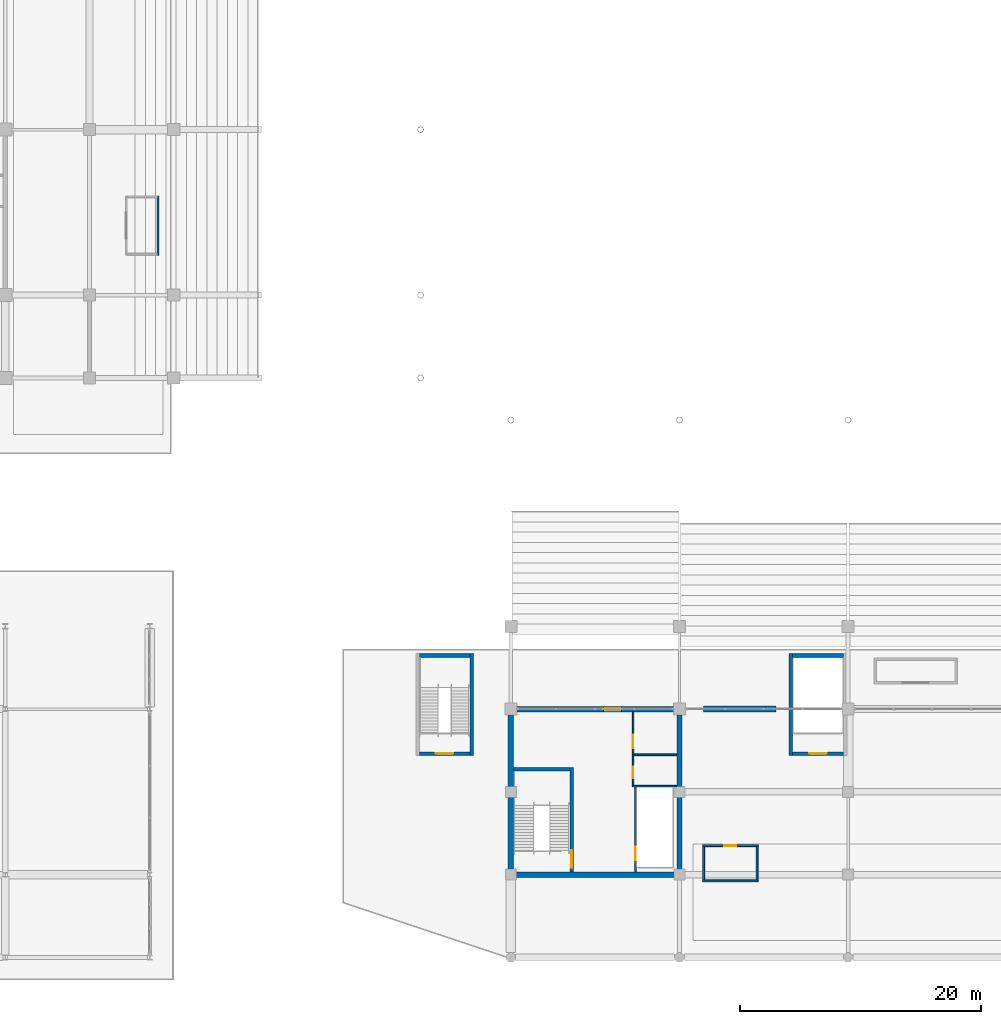
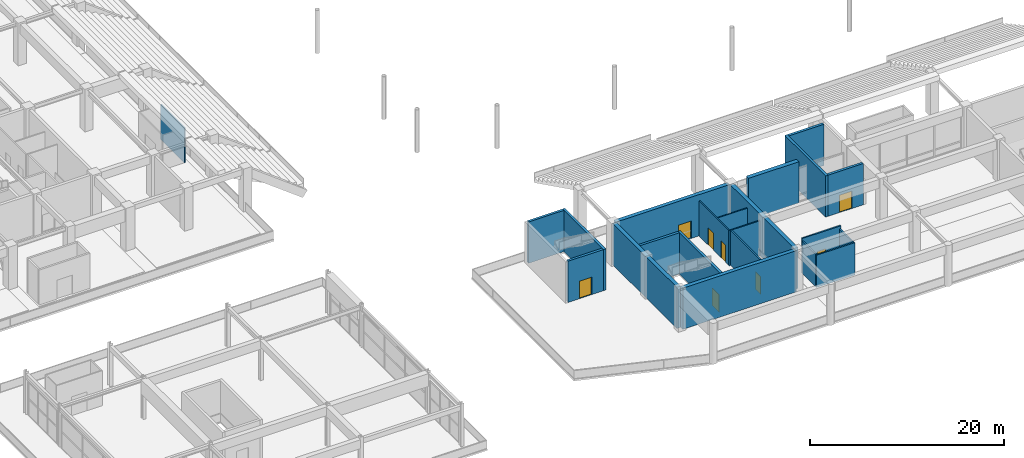
# One storey, part 88 of 117: 22 walls, 8 doors, 8 openings.
"""IFC4 building model written with IfcOpenShell, lengths in metres."""

import ifcopenshell
import ifcopenshell.guid

model = None  # the IFC model being written
_history = None  # IfcOwnerHistory: only IFC2X3 demands one
_inside = {}  # id of a spatial element -> (the spatial element, [elements in it])
_under = {}  # id of a project, library or spatial element -> (it, [spatial elements below it])
_declared = {}  # id of a project -> (the project, [libraries it declares])
_typed = {}  # id of a type object -> (the type object, [elements of that type])
_made_of = {}  # id of a material, layer set ... -> (it, [elements and type objects made of it])


def new_model(schema):
    """Start an empty IFC model of exactly this schema.

    Asked for "IFC4X3", IfcOpenShell would pick the latest addendum, in which some entities
    have other attributes; the version numbers below select the first issue.
    IFC2X3 requires an IfcOwnerHistory on every rooted entity: one is made here for all.
    """
    global model, _history
    if schema == "IFC4X3":
        model = ifcopenshell.file(schema_version=(4, 3, 0, 0))
    else:
        model = ifcopenshell.file(schema=schema)
    _inside.clear()
    _under.clear()
    _declared.clear()
    _typed.clear()
    _made_of.clear()
    _history = None
    if model.schema == "IFC2X3":
        org = make("IfcOrganization", Name="unknown")
        user = make(
            "IfcPersonAndOrganization",
            ThePerson=make("IfcPerson", FamilyName="unknown"),
            TheOrganization=org,
        )
        app = make(
            "IfcApplication",
            ApplicationDeveloper=org,
            Version="unknown",
            ApplicationFullName="unknown",
            ApplicationIdentifier="unknown",
        )
        _history = make(
            "IfcOwnerHistory",
            OwningUser=user,
            OwningApplication=app,
            ChangeAction="ADDED",
            CreationDate=0,
        )
    return model


def make(cls, **values):
    """One entity of the class cls with the attributes given. An attribute that is None is left unset."""
    return model.create_entity(
        cls, **{name: value for name, value in values.items() if value is not None}
    )


def rooted(cls, **values):
    """An entity with a GlobalId (a new one), such as an element, a storey or a relation."""
    return make(cls, GlobalId=ifcopenshell.guid.new(), OwnerHistory=_history, **values)


def si_unit(unit_type, name, prefix=None):
    """IfcSIUnit, for example si_unit("LENGTHUNIT", "METRE", prefix="MILLI")."""
    return make("IfcSIUnit", UnitType=unit_type, Prefix=prefix, Name=name)


def assignment(units):
    """IfcUnitAssignment: the units of a project."""
    return None if units is None else make("IfcUnitAssignment", Units=units)


def point(xyz):
    """IfcCartesianPoint."""
    return None if xyz is None else make("IfcCartesianPoint", Coordinates=xyz)


def direction(xyz):
    """IfcDirection."""
    return None if xyz is None else make("IfcDirection", DirectionRatios=xyz)


def frame(location, z_axis=None, x_axis=None):
    """IfcAxis2Placement3D, a coordinate frame: its origin and axes. An axis left out is left unset."""
    return make(
        "IfcAxis2Placement3D",
        Location=point(location),
        Axis=direction(z_axis),
        RefDirection=direction(x_axis),
    )


def frame_2d(location, x_axis=None):
    """IfcAxis2Placement2D, a coordinate frame in the plane: its origin and x axis."""
    return make(
        "IfcAxis2Placement2D", Location=point(location), RefDirection=direction(x_axis)
    )


def origin():
    """The frame at (0, 0, 0) with its axes left unset."""
    return frame((0.0, 0.0, 0.0))


def place(relative_to, where):
    """IfcLocalPlacement: puts the frame where relative to a parent placement (None: the world)."""
    return make(
        "IfcLocalPlacement", PlacementRelTo=relative_to, RelativePlacement=where
    )


def context(
    kind, dimensions, precision=None, world=None, true_north=None, identifier=None
):
    """IfcGeometricRepresentationContext, for example the 3D "Model" context."""
    return make(
        "IfcGeometricRepresentationContext",
        ContextIdentifier=identifier,
        ContextType=kind,
        CoordinateSpaceDimension=dimensions,
        Precision=precision,
        WorldCoordinateSystem=world,
        TrueNorth=true_north,
    )


def subcontext(parent, identifier, kind, view, scale=None):
    """IfcGeometricRepresentationSubContext, for example "Body" below "Model"."""
    return make(
        "IfcGeometricRepresentationSubContext",
        ContextIdentifier=identifier,
        ContextType=kind,
        ParentContext=parent,
        TargetScale=scale,
        TargetView=view,
    )


def project(units=None, contexts=None):
    """IfcProject with its units and contexts."""
    return rooted(
        "IfcProject",
        Name="project",
        RepresentationContexts=contexts,
        UnitsInContext=assignment(units),
    )


def spatial(cls, under=None, at=None, **own):
    """A site, building, storey or space (cls), placed at a placement, below another one or the project."""
    s = rooted(cls, ObjectPlacement=at, **own)
    if under is not None:
        _under.setdefault(under.id(), (under, []))[1].append(s)
    return s


def profile(cls, at=None, kind="AREA", **sizes):
    """A parametric profile (cls). Its sizes go by their IFC names, for example OverallWidth=200.0."""
    return make(cls, ProfileType=kind, Position=at, **sizes)


def rectangle(**sizes):
    """IfcRectangleProfileDef."""
    return profile("IfcRectangleProfileDef", **sizes)


def extrude(swept, where, along, depth):
    """IfcExtrudedAreaSolid: the profile swept, set in the frame where, extruded along a direction by depth."""
    return make(
        "IfcExtrudedAreaSolid",
        SweptArea=swept,
        Position=where,
        ExtrudedDirection=direction(along),
        Depth=depth,
    )


def shape(context_of_items, identifier, shape_type, items):
    """IfcShapeRepresentation: the items that make up one representation, for example the "Body"."""
    return make(
        "IfcShapeRepresentation",
        ContextOfItems=context_of_items,
        RepresentationIdentifier=identifier,
        RepresentationType=shape_type,
        Items=items,
    )


def material(Name=None, Category=None):
    """IfcMaterial."""
    return make("IfcMaterial", Name=Name, Category=Category)


def layer(
    of_material, thickness, ventilated=None, Name=None, Category=None, Priority=None
):
    """IfcMaterialLayer: one layer of a wall or slab, of a material (None: an air gap)."""
    return make(
        "IfcMaterialLayer",
        Material=of_material,
        LayerThickness=thickness,
        IsVentilated=ventilated,
        Name=Name,
        Category=Category,
        Priority=Priority,
    )


def layer_set(layers, Name=None):
    """IfcMaterialLayerSet."""
    return make("IfcMaterialLayerSet", MaterialLayers=layers, LayerSetName=Name)


def made_of(thing, what):
    """Note that an element or type object is made of a material, layer set ...; save() writes the relation."""
    if what is not None:
        _made_of.setdefault(what.id(), (what, []))[1].append(thing)
    return thing


def type_object(cls, material=None, **own):
    """A type object (cls), such as IfcWallType, which elements share."""
    return made_of(rooted(cls, **own), material)


def element(
    cls,
    number,
    at=None,
    inside=None,
    cuts=None,
    type_object=None,
    material=None,
    context=None,
    identifier="Body",
    shape_type=None,
    held_by="IfcProductDefinitionShape",
    body=None,
    shapes=None,
    **own,
):
    """One element of the class cls, such as IfcWall. Its Tag is "e" and its number.

    at: its placement. inside: the storey or other place that contains it. cuts: it is an
    opening in that element (IfcRelVoidsElement). A single representation is given by context,
    identifier, shape_type and body (its items); several are given by shapes. held_by: the class
    of the entity that holds the representations. save() writes the other relations.
    """
    e = rooted(cls, Tag="e%d" % number, ObjectPlacement=at, **own)
    if body is not None:
        shapes = [shape(context, identifier, shape_type, body)]
    if shapes is not None:
        e.Representation = make(held_by, Representations=shapes)
    if inside is not None:
        _inside.setdefault(inside.id(), (inside, []))[1].append(e)
    if cuts is not None:
        rooted(
            "IfcRelVoidsElement", RelatingBuildingElement=cuts, RelatedOpeningElement=e
        )
    if type_object is not None:
        _typed.setdefault(type_object.id(), (type_object, []))[1].append(e)
    return made_of(e, material)


def fill(opening, filler):
    """IfcRelFillsElement: the door or window that sits in an opening."""
    return rooted(
        "IfcRelFillsElement",
        RelatingOpeningElement=opening,
        RelatedBuildingElement=filler,
    )


def aggregate(whole, parts):
    """IfcRelAggregates: a whole, such as a stair, and the parts it consists of."""
    return rooted("IfcRelAggregates", RelatingObject=whole, RelatedObjects=parts)


def save(model, path):
    """Write the relations noted so far, then the file.

    IfcRelAggregates (storeys below a building ...), IfcRelContainedInSpatialStructure (elements
    in a storey), IfcRelDefinesByType, IfcRelAssociatesMaterial and IfcRelDeclares: one each for
    every whole, place, type object, material and project.
    """
    for whole, parts in _under.values():
        aggregate(whole, parts)
    for where, things in _inside.values():
        rooted(
            "IfcRelContainedInSpatialStructure",
            RelatedElements=things,
            RelatingStructure=where,
        )
    for kind, things in _typed.values():
        rooted("IfcRelDefinesByType", RelatedObjects=things, RelatingType=kind)
    for what, things in _made_of.values():
        rooted("IfcRelAssociatesMaterial", RelatedObjects=things, RelatingMaterial=what)
    for by, libraries in _declared.values():
        rooted("IfcRelDeclares", RelatingContext=by, RelatedDefinitions=libraries)
    model.write(path)


model = new_model("IFC4")

# Units and contexts
model_context = context("Model", 3, precision=1e-05, world=origin(), true_north=direction((0.0, 1.0)))
body_context = subcontext(model_context, "Body", "Model", "MODEL_VIEW")
ifc_project = project(units=[si_unit("LENGTHUNIT", "METRE"), si_unit("AREAUNIT", "SQUARE_METRE"), si_unit("VOLUMEUNIT", "CUBIC_METRE"), si_unit("PLANEANGLEUNIT", "RADIAN"), si_unit("MASSUNIT", "GRAM", prefix="KILO")], contexts=[model_context])

# Site, building, storey
site_placement = place(None, origin())
site = spatial("IfcSite", under=ifc_project, at=site_placement, CompositionType="ELEMENT")
building_placement = place(site_placement, origin())
building = spatial("IfcBuilding", under=site, at=building_placement, Name="Linyun Crest Stadium", CompositionType="ELEMENT")
storey_placement = place(building_placement, frame((0.0, 0.0, 6.0)))
storey = spatial("IfcBuildingStorey", under=building, at=storey_placement, Name="L02", CompositionType="ELEMENT", Elevation=6.0)

# Walls
ifc_material_1 = material(Name="Concrete C50", Category="concrete")
ifc_layer_1 = layer(ifc_material_1, 0.449951171875)
ifc_layer_set_1 = layer_set([ifc_layer_1], Name="Concrete C50")
wall_type_1 = type_object("IfcWallType", Name="CW03", PredefinedType="SHEAR", material=ifc_layer_set_1)
for number, where, z_axis, x_axis, name in (
    (1, (-28.0, -87.02490234375, 0.0), (0.0, 0.0, 1.0), (0.0, 1.0, 0.0), "Core shear wall CW03 CORE-S1 L02.1"),
    (2, (-14.0, -87.02490234375, 0.0), (0.0, 0.0, 1.0), (0.0, 1.0, 0.0), "Core shear wall CW03 CORE-S1 L02.2"),
):
    element("IfcWall", number, at=place(storey_placement, frame(where, z_axis=z_axis, x_axis=x_axis)), inside=storey, type_object=wall_type_1, Name=name, PredefinedType="SHEAR", context=body_context, shape_type="SweptSolid", body=[
        extrude(rectangle(XDim=13.2998046875, YDim=0.449951171875, at=frame_2d((6.64990234375, 0.0))), origin(), (0.0, 0.0, 1.0), 5.199951171875),
    ])
wall_1_placement = place(storey_placement, frame((-27.77490234375, -87.25, 0.0), z_axis=(0.0, 0.0, 1.0), x_axis=(1.0, 0.0, 0.0)))
element("IfcWall", 3, at=wall_1_placement, inside=storey, type_object=wall_type_1, Name="Core shear wall CW03 CORE-S1 L02.3", PredefinedType="SHEAR", context=body_context, shape_type="SweptSolid", body=[
    extrude(rectangle(XDim=13.5498046875, YDim=0.449951171875, at=frame_2d((6.77490234375, 0.0))), origin(), (0.0, 0.0, 1.0), 5.199951171875),
])

# Wall, opening, door
wall_2_placement = place(storey_placement, frame((-27.77490234375, -73.5, 0.0), z_axis=(0.0, 0.0, 1.0), x_axis=(1.0, 0.0, 0.0)))
wall_2 = element("IfcWall", 4, at=wall_2_placement, inside=storey, type_object=wall_type_1, Name="Core shear wall CW03 CORE-S1 L02.4", PredefinedType="SHEAR", context=body_context, shape_type="SweptSolid", body=[
    extrude(rectangle(XDim=13.5498046875, YDim=0.449951171875, at=frame_2d((6.77490234375, 0.0))), origin(), (0.0, 0.0, 1.0), 5.199951171875),
])
opening_1_placement = place(wall_2_placement, frame((7.451904296875, 0.0, 0.0)))
opening_1 = element("IfcOpeningElement", 5, at=opening_1_placement, cuts=wall_2, Name="Opening D-L02-326", PredefinedType="OPENING", context=body_context, shape_type="SweptSolid", body=[
    extrude(rectangle(XDim=1.5, YDim=2.199951171875, at=frame_2d((0.75, 1.10009765625))), frame((0.0, 0.23486328125, 0.0), z_axis=(0.0, -1.0, 0.0), x_axis=(1.0, 0.0, 0.0)), (0.0, 0.0, 1.0), 0.469970703125),
])
ifc_material_2 = material(Name="Galvanized steel Class A fire door", Category="steel")
ifc_layer_2 = layer(ifc_material_2, 0.054931640625)
ifc_layer_set_2 = layer_set([ifc_layer_2], Name="Galvanized steel Class A fire door")
door_type_1 = type_object("IfcDoorType", Name="FD01", OperationType="NOTDEFINED", PredefinedType="DOOR", material=ifc_layer_set_2)
door_1_placement = place(opening_1_placement, origin())
door_1 = element("IfcDoor", 6, at=door_1_placement, inside=storey, type_object=door_type_1, Name="Door D-L02-326", OperationType="SINGLE_SWING_RIGHT", OverallHeight=2.199951171875, OverallWidth=1.5, PredefinedType="DOOR", context=body_context, shape_type="SweptSolid", body=[
    extrude(rectangle(XDim=1.5, YDim=2.199951171875, at=frame_2d((0.75, 1.10009765625))), frame((0.0, 0.02490234375, 0.0), z_axis=(0.0, -1.0, 0.0), x_axis=(1.0, 0.0, 0.0)), (0.0, 0.0, 1.0), 0.050048828125),
])
fill(opening_1, door_1)

ifc_material_3 = material(Name="Autoclaved aerated concrete block fire partition", Category="concrete")
ifc_layer_3 = layer(ifc_material_3, 0.179931640625)
ifc_layer_set_3 = layer_set([ifc_layer_3], Name="Autoclaved aerated concrete block fire partition")
wall_type_2 = type_object("IfcWallType", Name="PW12", PredefinedType="PARTITIONING", material=ifc_layer_set_3)
wall_3_placement = place(storey_placement, frame((-17.64990234375, -87.02490234375, 0.0), z_axis=(0.0, 0.0, 1.0), x_axis=(0.0, 1.0, 0.0)))
wall_3 = element("IfcWall", 7, at=wall_3_placement, inside=storey, type_object=wall_type_2, Name="Partition PW12 L02 115", PredefinedType="PARTITIONING", context=body_context, shape_type="SweptSolid", body=[
    extrude(rectangle(XDim=7.054931640625, YDim=0.179931640625, at=frame_2d((3.52734375, 0.0))), origin(), (0.0, 0.0, 1.0), 4.419921875),
])
opening_2_placement = place(wall_3_placement, frame((0.97509765625, 0.0, 0.0)))
opening_2 = element("IfcOpeningElement", 8, at=opening_2_placement, cuts=wall_3, Name="Opening LD099", PredefinedType="OPENING", context=body_context, shape_type="SweptSolid", body=[
    extrude(rectangle(XDim=1.10009765625, YDim=2.199951171875, at=frame_2d((0.550048828125, 1.10009765625))), frame((0.0, 0.099853515625, 0.0), z_axis=(0.0, -1.0, 0.0), x_axis=(1.0, 0.0, 0.0)), (0.0, 0.0, 1.0), 0.199951171875),
])
ifc_material_4 = material(Name="Brushed stainless sliding lift door")
ifc_layer_4 = layer(ifc_material_4, 0.050048828125)
ifc_layer_set_4 = layer_set([ifc_layer_4], Name="Brushed stainless sliding lift door")
door_type_2 = type_object("IfcDoorType", Name="LD01", OperationType="NOTDEFINED", PredefinedType="DOOR", material=ifc_layer_set_4)
door_2_placement = place(opening_2_placement, origin())
door_2 = element("IfcDoor", 9, at=door_2_placement, inside=storey, type_object=door_type_2, Name="Lift landing door LD099", OperationType="DOUBLE_DOOR_SLIDING", OverallHeight=2.199951171875, OverallWidth=1.10009765625, PredefinedType="DOOR", context=body_context, shape_type="SweptSolid", body=[
    extrude(rectangle(XDim=1.10009765625, YDim=2.199951171875, at=frame_2d((0.550048828125, 1.10009765625))), frame((0.0, 0.02490234375, 0.0), z_axis=(0.0, -1.0, 0.0), x_axis=(1.0, 0.0, 0.0)), (0.0, 0.0, 1.0), 0.050048828125),
])
fill(opening_2, door_2)

ifc_material_5 = material(Name="Double steel-stud acoustic fire partition", Category="steel")
ifc_layer_5 = layer(ifc_material_5, 0.1650390625)
ifc_layer_set_5 = layer_set([ifc_layer_5], Name="Double steel-stud acoustic fire partition")
wall_type_3 = type_object("IfcWallType", Name="PW13", PredefinedType="PARTITIONING", material=ifc_layer_set_5)
wall_4_placement = place(storey_placement, frame((-12.072998046875, -84.84912109375, 0.0), z_axis=(0.0, 0.0, 1.0), x_axis=(1.0, 0.0, 0.0)))
wall_4 = element("IfcWall", 10, at=wall_4_placement, inside=storey, type_object=wall_type_3, Name="Partition PW13 L02 196", PredefinedType="PARTITIONING", context=body_context, shape_type="SweptSolid", body=[
    extrude(rectangle(XDim=4.60009765625, YDim=0.1650390625, at=frame_2d((2.300048828125, 0.0))), origin(), (0.0, 0.0, 1.0), 4.419921875),
])
opening_3_placement = place(wall_4_placement, frame((1.800048828125, 0.0, 0.0)))
opening_3 = element("IfcOpeningElement", 11, at=opening_3_placement, cuts=wall_4, Name="Opening D-L02-459", PredefinedType="OPENING", context=body_context, shape_type="SweptSolid", body=[
    extrude(rectangle(XDim=1.0, YDim=2.14990234375, at=frame_2d((0.5, 1.074951171875))), frame((0.0, 0.092529296875, 0.0), z_axis=(0.0, -1.0, 0.0), x_axis=(1.0, 0.0, 0.0)), (0.0, 0.0, 1.0), 0.18505859375),
])
ifc_material_6 = material(Name="Hardwood veneer acoustic leaf", Category="wood")
ifc_layer_6 = layer(ifc_material_6, 0.044921875)
ifc_layer_set_6 = layer_set([ifc_layer_6], Name="Hardwood veneer acoustic leaf")
door_type_3 = type_object("IfcDoorType", Name="ID01", OperationType="NOTDEFINED", PredefinedType="DOOR", material=ifc_layer_set_6)
door_3_placement = place(opening_3_placement, origin())
door_3 = element("IfcDoor", 12, at=door_3_placement, inside=storey, type_object=door_type_3, Name="Door D-L02-459", OperationType="SINGLE_SWING_LEFT", OverallHeight=2.14990234375, OverallWidth=1.0, PredefinedType="DOOR", context=body_context, shape_type="SweptSolid", body=[
    extrude(rectangle(XDim=1.0, YDim=2.14990234375, at=frame_2d((0.5, 1.074951171875))), frame((0.0, 0.02490234375, 0.0), z_axis=(0.0, -1.0, 0.0), x_axis=(1.0, 0.0, 0.0)), (0.0, 0.0, 1.0), 0.050048828125),
])
fill(opening_3, door_3)

# Walls
wall_5_placement = place(storey_placement, frame((-12.072998046875, -87.76904296875, 0.0), z_axis=(0.0, 0.0, 1.0), x_axis=(1.0, 0.0, 0.0)))
element("IfcWall", 13, at=wall_5_placement, inside=storey, type_object=wall_type_3, Name="Enclosure partition PW13 L02 304", PredefinedType="PARTITIONING", context=body_context, shape_type="SweptSolid", body=[
    extrude(rectangle(XDim=4.60009765625, YDim=0.1650390625, at=frame_2d((2.300048828125, 0.0))), origin(), (0.0, 0.0, 1.0), 4.074951171875),
])
for number, where, z_axis, x_axis, name in (
    (14, (-11.989990234375, -87.68603515625, 0.0), (0.0, 0.0, 1.0), (0.0, 1.0, 0.0), "Enclosure partition PW13 L02 305"),
    (15, (-7.555908203125, -87.68603515625, 0.0), (0.0, 0.0, 1.0), (0.0, 1.0, 0.0), "Enclosure partition PW13 L02 306"),
):
    element("IfcWall", number, at=place(storey_placement, frame(where, z_axis=z_axis, x_axis=x_axis)), inside=storey, type_object=wall_type_3, Name=name, PredefinedType="PARTITIONING", context=body_context, shape_type="SweptSolid", body=[
        extrude(rectangle(XDim=2.754150390625, YDim=0.1650390625, at=frame_2d((1.376953125, 0.0))), origin(), (0.0, 0.0, 1.0), 4.074951171875),
    ])

# Wall, openings, doors
ifc_material_7 = material(Name="Moisture-resistant ceramic-tiled wet-room wall")
ifc_layer_7 = layer(ifc_material_7, 0.139892578125)
ifc_layer_set_7 = layer_set([ifc_layer_7], Name="Moisture-resistant ceramic-tiled wet-room wall")
wall_type_4 = type_object("IfcWallType", Name="PW15", PredefinedType="PARTITIONING", material=ifc_layer_set_7)
wall_6_placement = place(storey_placement, frame((-17.85009765625, -79.830078125, 0.0), z_axis=(0.0, 0.0, 1.0), x_axis=(0.0, 1.0, 0.0)))
wall_6 = element("IfcWall", 16, at=wall_6_placement, inside=storey, type_object=wall_type_4, Name="Partition PW15 L02 116", PredefinedType="PARTITIONING", context=body_context, shape_type="SweptSolid", body=[
    extrude(rectangle(XDim=6.10498046875, YDim=0.139892578125, at=frame_2d((3.052490234375, 0.0))), origin(), (0.0, 0.0, 1.0), 4.419921875),
])
opening_4_placement = place(wall_6_placement, frame((0.580078125, 0.0, 0.0)))
opening_4 = element("IfcOpeningElement", 17, at=opening_4_placement, cuts=wall_6, Name="Opening D-L02-329", PredefinedType="OPENING", context=body_context, shape_type="SweptSolid", body=[
    extrude(rectangle(XDim=0.949951171875, YDim=2.14990234375, at=frame_2d((0.47509765625, 1.074951171875))), frame((0.0, 0.079833984375, 0.0), z_axis=(0.0, -1.0, 0.0), x_axis=(1.0, 0.0, 0.0)), (0.0, 0.0, 1.0), 0.159912109375),
])
opening_5_placement = place(wall_6_placement, frame((3.080078125, 0.0, 0.0)))
opening_5 = element("IfcOpeningElement", 18, at=opening_5_placement, cuts=wall_6, Name="Opening D-L02-330", PredefinedType="OPENING", context=body_context, shape_type="SweptSolid", body=[
    extrude(rectangle(XDim=1.10009765625, YDim=2.14990234375, at=frame_2d((0.550048828125, 1.074951171875))), frame((0.0, 0.079833984375, 0.0), z_axis=(0.0, -1.0, 0.0), x_axis=(1.0, 0.0, 0.0)), (0.0, 0.0, 1.0), 0.159912109375),
])
ifc_material_8 = material(Name="Moisture-resistant laminate leaf")
ifc_layer_8 = layer(ifc_material_8, 0.044921875)
ifc_layer_set_8 = layer_set([ifc_layer_8], Name="Moisture-resistant laminate leaf")
door_type_4 = type_object("IfcDoorType", Name="ID02", OperationType="NOTDEFINED", PredefinedType="DOOR", material=ifc_layer_set_8)
door_4_placement = place(opening_4_placement, origin())
door_4 = element("IfcDoor", 19, at=door_4_placement, inside=storey, type_object=door_type_4, Name="Door D-L02-329", OperationType="SINGLE_SWING_LEFT", OverallHeight=2.14990234375, OverallWidth=0.949951171875, PredefinedType="DOOR", context=body_context, shape_type="SweptSolid", body=[
    extrude(rectangle(XDim=0.949951171875, YDim=2.14990234375, at=frame_2d((0.47509765625, 1.074951171875))), frame((0.0, 0.02490234375, 0.0), z_axis=(0.0, -1.0, 0.0), x_axis=(1.0, 0.0, 0.0)), (0.0, 0.0, 1.0), 0.050048828125),
])
fill(opening_4, door_4)
ifc_material_9 = material(Name="Moisture-resistant laminate leaf")
ifc_layer_9 = layer(ifc_material_9, 0.044921875)
ifc_layer_set_9 = layer_set([ifc_layer_9], Name="Moisture-resistant laminate leaf")
door_type_5 = type_object("IfcDoorType", Name="ID03", OperationType="NOTDEFINED", PredefinedType="DOOR", material=ifc_layer_set_9)
door_5_placement = place(opening_5_placement, origin())
door_5 = element("IfcDoor", 20, at=door_5_placement, inside=storey, type_object=door_type_5, Name="Door D-L02-330", OperationType="SINGLE_SWING_RIGHT", OverallHeight=2.14990234375, OverallWidth=1.10009765625, PredefinedType="DOOR", context=body_context, shape_type="SweptSolid", body=[
    extrude(rectangle(XDim=1.10009765625, YDim=2.14990234375, at=frame_2d((0.550048828125, 1.074951171875))), frame((0.0, 0.02490234375, 0.0), z_axis=(0.0, -1.0, 0.0), x_axis=(1.0, 0.0, 0.0)), (0.0, 0.0, 1.0), 0.050048828125),
])
fill(opening_5, door_5)

# Walls
wall_7_placement = place(storey_placement, frame((-17.919921875, -79.89990234375, 0.0), z_axis=(0.0, 0.0, 1.0), x_axis=(1.0, 0.0, 0.0)))
element("IfcWall", 21, at=wall_7_placement, inside=storey, type_object=wall_type_4, Name="Enclosure partition PW15 L02 107", PredefinedType="PARTITIONING", context=body_context, shape_type="SweptSolid", body=[
    extrude(rectangle(XDim=3.69482421875, YDim=0.139892578125, at=frame_2d((1.847412109375, 0.0))), origin(), (0.0, 0.0, 1.0), 4.419921875),
])
wall_8_placement = place(storey_placement, frame((-17.780029296875, -77.300048828125, 0.0), z_axis=(0.0, 0.0, 1.0), x_axis=(1.0, 0.0, 0.0)))
element("IfcWall", 22, at=wall_8_placement, inside=storey, type_object=wall_type_4, Name="Enclosure partition PW15 L02 108", PredefinedType="PARTITIONING", context=body_context, shape_type="SweptSolid", body=[
    extrude(rectangle(XDim=3.554931640625, YDim=0.139892578125, at=frame_2d((1.77734375, 0.0))), origin(), (0.0, 0.0, 1.0), 4.419921875),
])
ifc_material_10 = material(Name="Acoustic commentary booth partition")
ifc_layer_10 = layer(ifc_material_10, 0.1298828125)
ifc_layer_set_10 = layer_set([ifc_layer_10], Name="Acoustic commentary booth partition")
wall_type_5 = type_object("IfcWallType", Name="PW22", PredefinedType="PARTITIONING", material=ifc_layer_set_10)
wall_9_placement = place(storey_placement, frame((-57.30908203125, -35.797119140625, 0.0), z_axis=(0.0, 0.0, 1.0), x_axis=(0.0, 1.0, 0.0)))
element("IfcWall", 23, at=wall_9_placement, inside=storey, type_object=wall_type_5, Name="Enclosure partition PW22 L02 262", PredefinedType="PARTITIONING", context=body_context, shape_type="SweptSolid", body=[
    extrude(rectangle(XDim=4.89013671875, YDim=0.1298828125, at=frame_2d((2.445068359375, 0.0))), origin(), (0.0, 0.0, 1.0), 4.419921875),
])

# Wall, opening, door
ifc_material_11 = material(Name="Concrete C50", Category="concrete")
ifc_layer_11 = layer(ifc_material_11, 0.300048828125)
ifc_layer_set_11 = layer_set([ifc_layer_11], Name="Concrete C50")
wall_type_6 = type_object("IfcWallType", Name="SW01", PredefinedType="SHEAR", material=ifc_layer_set_11)
wall_10_placement = place(storey_placement, frame((-22.949951171875, -87.02490234375, 0.0), z_axis=(0.0, 0.0, 1.0), x_axis=(0.0, 1.0, 0.0)))
wall_10 = element("IfcWall", 24, at=wall_10_placement, inside=storey, type_object=wall_type_6, Name="Core stair east bearing wall SW01 9 L02", PredefinedType="SHEAR", context=body_context, shape_type="SweptSolid", body=[
    extrude(rectangle(XDim=8.6748046875, YDim=0.300048828125, at=frame_2d((4.33740234375, 0.0))), origin(), (0.0, 0.0, 1.0), 5.199951171875),
])
opening_6_placement = place(wall_10_placement, frame((0.344970703125, 0.0, 0.0)))
opening_6 = element("IfcOpeningElement", 25, at=opening_6_placement, cuts=wall_10, Name="Opening D-L02-327", PredefinedType="OPENING", context=body_context, shape_type="SweptSolid", body=[
    extrude(rectangle(XDim=1.449951171875, YDim=2.199951171875, at=frame_2d((0.72509765625, 1.10009765625))), frame((0.0, 0.159912109375, 0.0), z_axis=(0.0, -1.0, 0.0), x_axis=(1.0, 0.0, 0.0)), (0.0, 0.0, 1.0), 0.320068359375),
])
ifc_material_12 = material(Name="Galvanized steel Class A fire door", Category="steel")
ifc_layer_12 = layer(ifc_material_12, 0.054931640625)
ifc_layer_set_12 = layer_set([ifc_layer_12], Name="Galvanized steel Class A fire door")
door_type_6 = type_object("IfcDoorType", Name="FD02", OperationType="NOTDEFINED", PredefinedType="DOOR", material=ifc_layer_set_12)
door_6_placement = place(opening_6_placement, origin())
door_6 = element("IfcDoor", 26, at=door_6_placement, inside=storey, type_object=door_type_6, Name="Door D-L02-327", OperationType="SINGLE_SWING_LEFT", OverallHeight=2.199951171875, OverallWidth=1.449951171875, PredefinedType="DOOR", context=body_context, shape_type="SweptSolid", body=[
    extrude(rectangle(XDim=1.449951171875, YDim=2.199951171875, at=frame_2d((0.72509765625, 1.10009765625))), frame((0.0, 0.02490234375, 0.0), z_axis=(0.0, -1.0, 0.0), x_axis=(1.0, 0.0, 0.0)), (0.0, 0.0, 1.0), 0.050048828125),
])
fill(opening_6, door_6)

# Wall
wall_11_placement = place(storey_placement, frame((-27.77490234375, -78.5, 0.0), z_axis=(0.0, 0.0, 1.0), x_axis=(1.0, 0.0, 0.0)))
element("IfcWall", 27, at=wall_11_placement, inside=storey, type_object=wall_type_6, Name="Core stair bearing wall SW01 9 L02", PredefinedType="SHEAR", context=body_context, shape_type="SweptSolid", body=[
    extrude(rectangle(XDim=4.6748046875, YDim=0.300048828125, at=frame_2d((2.33740234375, 0.0))), origin(), (0.0, 0.0, 1.0), 5.199951171875),
])

# Wall, opening, door
wall_12_placement = place(storey_placement, frame((-35.60009765625, -77.199951171875, 0.0), z_axis=(0.0, 0.0, 1.0), x_axis=(1.0, 0.0, 0.0)))
wall_12 = element("IfcWall", 28, at=wall_12_placement, inside=storey, type_object=wall_type_6, Name="Stair shaft wall SW01 STR-27 L02 S", PredefinedType="SHEAR", context=body_context, shape_type="SweptSolid", body=[
    extrude(rectangle(XDim=4.2001953125, YDim=0.300048828125, at=frame_2d((2.10009765625, 0.0))), origin(), (0.0, 0.0, 1.0), 5.199951171875),
])
opening_7_placement = place(wall_12_placement, frame((1.375, 0.0, 0.0)))
opening_7 = element("IfcOpeningElement", 29, at=opening_7_placement, cuts=wall_12, Name="Opening D-L02-618", PredefinedType="OPENING", context=body_context, shape_type="SweptSolid", body=[
    extrude(rectangle(XDim=1.449951171875, YDim=2.199951171875, at=frame_2d((0.72509765625, 1.10009765625))), frame((0.0, 0.159912109375, 0.0), z_axis=(0.0, -1.0, 0.0), x_axis=(1.0, 0.0, 0.0)), (0.0, 0.0, 1.0), 0.320068359375),
])
door_7_placement = place(opening_7_placement, origin())
door_7 = element("IfcDoor", 30, at=door_7_placement, inside=storey, type_object=door_type_6, Name="Door D-L02-618", OperationType="SINGLE_SWING_RIGHT", OverallHeight=2.199951171875, OverallWidth=1.449951171875, PredefinedType="DOOR", context=body_context, shape_type="SweptSolid", body=[
    extrude(rectangle(XDim=1.449951171875, YDim=2.199951171875, at=frame_2d((0.72509765625, 1.10009765625))), frame((0.0, 0.02490234375, 0.0), z_axis=(0.0, -1.0, 0.0), x_axis=(1.0, 0.0, 0.0)), (0.0, 0.0, 1.0), 0.050048828125),
])
fill(opening_7, door_7)

# Walls
wall_13_placement = place(storey_placement, frame((-35.60009765625, -69.050048828125, 0.0), z_axis=(0.0, 0.0, 1.0), x_axis=(1.0, 0.0, 0.0)))
element("IfcWall", 31, at=wall_13_placement, inside=storey, type_object=wall_type_6, Name="Stair shaft wall SW01 STR-27 L02 N", PredefinedType="SHEAR", context=body_context, shape_type="SweptSolid", body=[
    extrude(rectangle(XDim=4.2001953125, YDim=0.300048828125, at=frame_2d((2.10009765625, 0.0))), origin(), (0.0, 0.0, 1.0), 5.199951171875),
])
wall_14_placement = place(storey_placement, frame((-31.25, -77.35009765625, 0.0), z_axis=(0.0, 0.0, 1.0), x_axis=(0.0, 1.0, 0.0)))
element("IfcWall", 32, at=wall_14_placement, inside=storey, type_object=wall_type_6, Name="Stair shaft wall SW01 STR-27 L02 E", PredefinedType="SHEAR", context=body_context, shape_type="SweptSolid", body=[
    extrude(rectangle(XDim=8.4501953125, YDim=0.300048828125, at=frame_2d((4.22509765625, 0.0))), origin(), (0.0, 0.0, 1.0), 5.199951171875),
])

# Wall, opening, door
wall_15_placement = place(storey_placement, frame((-4.60009765625, -77.199951171875, 0.0), z_axis=(0.0, 0.0, 1.0), x_axis=(1.0, 0.0, 0.0)))
wall_15 = element("IfcWall", 33, at=wall_15_placement, inside=storey, type_object=wall_type_6, Name="Stair shaft wall SW01 STR-28 L02 S", PredefinedType="SHEAR", context=body_context, shape_type="SweptSolid", body=[
    extrude(rectangle(XDim=4.2001953125, YDim=0.300048828125, at=frame_2d((2.10009765625, 0.0))), origin(), (0.0, 0.0, 1.0), 5.199951171875),
])
opening_8_placement = place(wall_15_placement, frame((1.375, 0.0, 0.0)))
opening_8 = element("IfcOpeningElement", 34, at=opening_8_placement, cuts=wall_15, Name="Opening D-L02-622", PredefinedType="OPENING", context=body_context, shape_type="SweptSolid", body=[
    extrude(rectangle(XDim=1.449951171875, YDim=2.199951171875, at=frame_2d((0.72509765625, 1.10009765625))), frame((0.0, 0.159912109375, 0.0), z_axis=(0.0, -1.0, 0.0), x_axis=(1.0, 0.0, 0.0)), (0.0, 0.0, 1.0), 0.320068359375),
])
door_8_placement = place(opening_8_placement, origin())
door_8 = element("IfcDoor", 35, at=door_8_placement, inside=storey, type_object=door_type_6, Name="Door D-L02-622", OperationType="SINGLE_SWING_RIGHT", OverallHeight=2.199951171875, OverallWidth=1.449951171875, PredefinedType="DOOR", context=body_context, shape_type="SweptSolid", body=[
    extrude(rectangle(XDim=1.449951171875, YDim=2.199951171875, at=frame_2d((0.72509765625, 1.10009765625))), frame((0.0, 0.02490234375, 0.0), z_axis=(0.0, -1.0, 0.0), x_axis=(1.0, 0.0, 0.0)), (0.0, 0.0, 1.0), 0.050048828125),
])
fill(opening_8, door_8)

# Walls
wall_16_placement = place(storey_placement, frame((-4.60009765625, -69.050048828125, 0.0), z_axis=(0.0, 0.0, 1.0), x_axis=(1.0, 0.0, 0.0)))
element("IfcWall", 36, at=wall_16_placement, inside=storey, type_object=wall_type_6, Name="Stair shaft wall SW01 STR-28 L02 N", PredefinedType="SHEAR", context=body_context, shape_type="SweptSolid", body=[
    extrude(rectangle(XDim=4.2001953125, YDim=0.300048828125, at=frame_2d((2.10009765625, 0.0))), origin(), (0.0, 0.0, 1.0), 5.199951171875),
])
wall_17_placement = place(storey_placement, frame((-4.75, -77.35009765625, 0.0), z_axis=(0.0, 0.0, 1.0), x_axis=(0.0, 1.0, 0.0)))
element("IfcWall", 37, at=wall_17_placement, inside=storey, type_object=wall_type_6, Name="Stair shaft wall SW01 STR-28 L02 W", PredefinedType="SHEAR", context=body_context, shape_type="SweptSolid", body=[
    extrude(rectangle(XDim=8.4501953125, YDim=0.300048828125, at=frame_2d((4.22509765625, 0.0))), origin(), (0.0, 0.0, 1.0), 5.199951171875),
])
ifc_material_13 = material(Name="Concrete C50", Category="concrete")
ifc_layer_13 = layer(ifc_material_13, 0.5)
ifc_layer_set_13 = layer_set([ifc_layer_13], Name="Concrete C50")
wall_type_7 = type_object("IfcWallType", Name="SW03", PredefinedType="SHEAR", material=ifc_layer_set_13)
wall_18_placement = place(storey_placement, frame((-12.0, -73.5, 0.0), z_axis=(0.0, 0.0, 1.0), x_axis=(1.0, 0.0, 0.0)))
element("IfcWall", 38, at=wall_18_placement, inside=storey, type_object=wall_type_7, Name="Shear wall SW03 L02 323", PredefinedType="SHEAR", context=body_context, shape_type="SweptSolid", body=[
    extrude(rectangle(XDim=6.0, YDim=0.5, at=frame_2d((3.0, 0.0))), origin(), (0.0, 0.0, 1.0), 5.199951171875),
])

save(model, "model.ifc")
